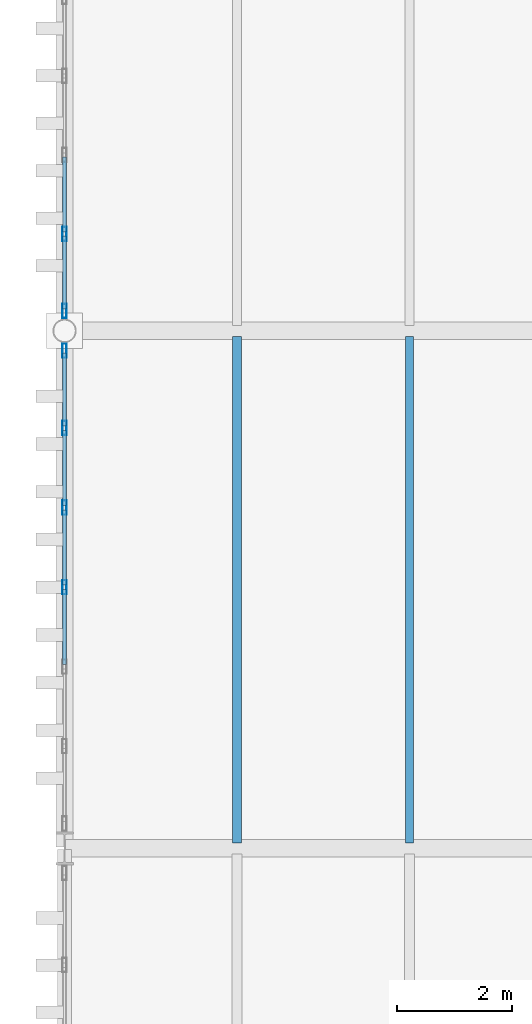
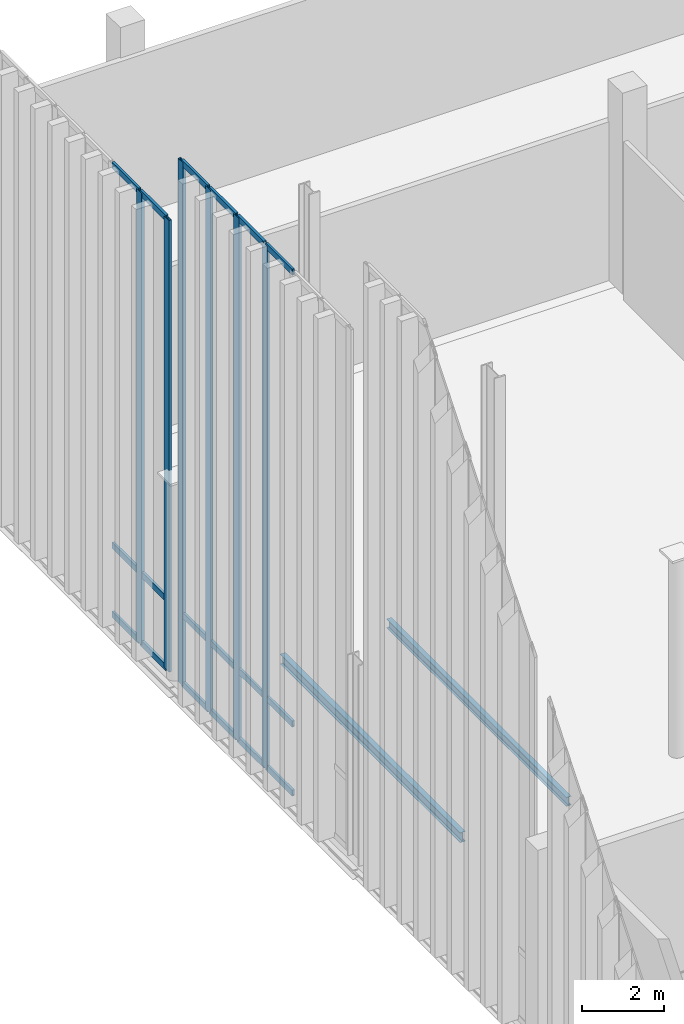
# One storey, part 60 of 237: 24 members, 2 beams, 2 elements without a shape of their own.
"""IFC4 building model written with IfcOpenShell, lengths in metres."""

from ifc_helpers import new_model, si_unit, direction, frame, origin, origin_2d, place, context, subcontext, project, spatial, hollow_rectangle, i_section, extrude, material, layer, layer_set, material_profile, profile_set, type_object, element, aggregate, save


model = new_model("IFC4")

# Units and contexts
model_context = context("Model", 3, precision=1e-05, world=origin(), true_north=direction((0.0, 1.0)))
body_context = subcontext(model_context, "Body", "Model", "MODEL_VIEW")
ifc_project = project(units=[si_unit("LENGTHUNIT", "METRE"), si_unit("AREAUNIT", "SQUARE_METRE"), si_unit("VOLUMEUNIT", "CUBIC_METRE"), si_unit("PLANEANGLEUNIT", "RADIAN"), si_unit("MASSUNIT", "GRAM", prefix="KILO")], contexts=[model_context])

# Site, building, storey
site_placement = place(None, origin())
site = spatial("IfcSite", under=ifc_project, at=site_placement, CompositionType="ELEMENT")
building_placement = place(site_placement, origin())
building = spatial("IfcBuilding", under=site, at=building_placement, Name="Barlavento Convention Centre", CompositionType="ELEMENT")
storey_placement = place(building_placement, frame((0.0, 0.0, 12.0)))
storey = spatial("IfcBuildingStorey", under=building, at=storey_placement, Name="L02", CompositionType="ELEMENT", Elevation=12.0)

# Curtain wall, members
ifc_material_1 = material(Name="Powder-coated aluminium and Low-E glass", Category="aluminium")
ifc_layer = layer(ifc_material_1, 0.18994140625)
ifc_layer_set = layer_set([ifc_layer], Name="ARC-CW-CONG-L02")
curtain_wall_type = type_object("IfcCurtainWallType", Name="ARC-CW-CONG-L02", PredefinedType="NOTDEFINED", material=ifc_layer_set)
curtain_wall_1_placement = place(storey_placement, origin())
curtain_wall_1 = element("IfcCurtainWall", 1, at=curtain_wall_1_placement, inside=storey, type_object=curtain_wall_type, Name="L02 unitised curtain wall CW02", PredefinedType="NOTDEFINED")
ifc_material_2 = material(Name="Powder-coated aluminium", Category="aluminium")
ifc_material_profile_1 = material_profile(ifc_material_2, hollow_rectangle(XDim=0.074951171875, YDim=0.25, WallThickness=0.006103515625, at=origin_2d()), Name="AL-MULL 75x250x6")
ifc_profile_set_1 = profile_set([ifc_material_profile_1], Name="Powder-coated aluminium")
member_type_1 = type_object("IfcMemberType", Name="ARC-CWM-75X250", PredefinedType="MULLION", material=ifc_profile_set_1)
member_1_placement = place(storey_placement, frame((0.0, 40.54150390625, 0.0), z_axis=(0.0, 0.0, 1.0), x_axis=(-1.0, 0.0, 0.0)))
member_1 = element("IfcMember", 2, at=member_1_placement, type_object=member_type_1, Name="CW02 mullion 4", PredefinedType="MULLION", context=body_context, shape_type="SweptSolid", body=[
    extrude(hollow_rectangle(XDim=0.074951171875, YDim=0.25, WallThickness=0.006103515625, at=origin_2d()), origin(), (0.0, 0.0, 1.0), 15.64111328125),
])
member_2_placement = place(storey_placement, frame((0.0, 41.9248046875, 0.0), z_axis=(0.0, 0.0, 1.0), x_axis=(-1.0, 0.0, 0.0)))
member_2 = element("IfcMember", 3, at=member_2_placement, type_object=member_type_1, Name="CW02 mullion 5", PredefinedType="MULLION", context=body_context, shape_type="SweptSolid", body=[
    extrude(hollow_rectangle(XDim=0.074951171875, YDim=0.25, WallThickness=0.006103515625, at=origin_2d()), origin(), (0.0, 0.0, 1.0), 15.64111328125),
])
member_3_placement = place(storey_placement, frame((0.0, 43.308349609375, 0.0), z_axis=(0.0, 0.0, 1.0), x_axis=(-1.0, 0.0, 0.0)))
member_3 = element("IfcMember", 4, at=member_3_placement, type_object=member_type_1, Name="CW02 mullion 6", PredefinedType="MULLION", context=body_context, shape_type="SweptSolid", body=[
    extrude(hollow_rectangle(XDim=0.074951171875, YDim=0.25, WallThickness=0.006103515625, at=origin_2d()), origin(), (0.0, 0.0, 1.0), 15.64111328125),
])
member_4_placement = place(storey_placement, frame((0.0, 44.654296875, 0.0), z_axis=(0.0, 0.0, 1.0), x_axis=(-1.0, 0.0, 0.0)))
member_4 = element("IfcMember", 5, at=member_4_placement, type_object=member_type_1, Name="CW02 mullion 7", PredefinedType="MULLION", context=body_context, shape_type="SweptSolid", body=[
    extrude(hollow_rectangle(XDim=0.074951171875, YDim=0.25, WallThickness=0.006103515625, at=origin_2d()), origin(), (0.0, 0.0, 1.0), 15.64111328125),
])

curtain_wall_2_placement = place(storey_placement, origin())
curtain_wall_2 = element("IfcCurtainWall", 6, at=curtain_wall_2_placement, inside=storey, type_object=curtain_wall_type, Name="L02 unitised curtain wall CW02", PredefinedType="NOTDEFINED")
member_5_placement = place(storey_placement, frame((0.0, 45.345703125, 0.0), z_axis=(0.0, 0.0, 1.0), x_axis=(-1.0, 0.0, 0.0)))
member_5 = element("IfcMember", 7, at=member_5_placement, type_object=member_type_1, Name="CW02 mullion 1", PredefinedType="MULLION", context=body_context, shape_type="SweptSolid", body=[
    extrude(hollow_rectangle(XDim=0.074951171875, YDim=0.25, WallThickness=0.006103515625, at=origin_2d()), origin(), (0.0, 0.0, 1.0), 13.5029296875),
])
member_6_placement = place(storey_placement, frame((0.0, 46.68359375, 0.0), z_axis=(0.0, 0.0, 1.0), x_axis=(-1.0, 0.0, 0.0)))
member_6 = element("IfcMember", 8, at=member_6_placement, type_object=member_type_1, Name="CW02 mullion 2", PredefinedType="MULLION", context=body_context, shape_type="SweptSolid", body=[
    extrude(hollow_rectangle(XDim=0.074951171875, YDim=0.25, WallThickness=0.006103515625, at=origin_2d()), origin(), (0.0, 0.0, 1.0), 13.5029296875),
])

# Member
ifc_material_profile_2 = material_profile(ifc_material_2, hollow_rectangle(XDim=0.070068359375, YDim=0.179931640625, WallThickness=0.0048828125, at=origin_2d()), Name="AL-TRAN 70x180x5")
ifc_profile_set_2 = profile_set([ifc_material_profile_2], Name="Powder-coated aluminium")
member_type_2 = type_object("IfcMemberType", Name="ARC-CWT-70X180", PredefinedType="USERDEFINED", material=ifc_profile_set_2)
member_7_placement = place(storey_placement, frame((0.0, 39.1953125, 0.034912109375), z_axis=(0.0, 1.0, 0.0), x_axis=(-1.0, 0.0, 0.0)))
member_7 = element("IfcMember", 9, at=member_7_placement, type_object=member_type_2, Name="CW02 transom 3.1", ObjectType="TRANSOM", PredefinedType="USERDEFINED", context=body_context, shape_type="SweptSolid", body=[
    extrude(hollow_rectangle(XDim=0.070068359375, YDim=0.179931640625, WallThickness=0.0048828125, at=origin_2d()), origin(), (0.0, 0.0, 1.0), 1.30859375),
])

member_8_placement = place(storey_placement, frame((0.0, 39.1953125, 2.10009765625), z_axis=(0.0, 1.0, 0.0), x_axis=(-1.0, 0.0, 0.0)))
member_8 = element("IfcMember", 10, at=member_8_placement, type_object=member_type_2, Name="CW02 transom 3.2", ObjectType="TRANSOM", PredefinedType="USERDEFINED", context=body_context, shape_type="SweptSolid", body=[
    extrude(hollow_rectangle(XDim=0.070068359375, YDim=0.179931640625, WallThickness=0.0048828125, at=origin_2d()), origin(), (0.0, 0.0, 1.0), 1.30859375),
])

member_9_placement = place(storey_placement, frame((0.0, 39.1953125, 15.60595703125), z_axis=(0.0, 1.0, 0.0), x_axis=(-1.0, 0.0, 0.0)))
member_9 = element("IfcMember", 11, at=member_9_placement, type_object=member_type_2, Name="CW02 transom 3.3", ObjectType="TRANSOM", PredefinedType="USERDEFINED", context=body_context, shape_type="SweptSolid", body=[
    extrude(hollow_rectangle(XDim=0.070068359375, YDim=0.179931640625, WallThickness=0.0048828125, at=origin_2d()), origin(), (0.0, 0.0, 1.0), 1.30859375),
])

member_10_placement = place(storey_placement, frame((0.0, 40.578857421875, 0.034912109375), z_axis=(0.0, 1.0, 0.0), x_axis=(-1.0, 0.0, 0.0)))
member_10 = element("IfcMember", 12, at=member_10_placement, type_object=member_type_2, Name="CW02 transom 4.1", ObjectType="TRANSOM", PredefinedType="USERDEFINED", context=body_context, shape_type="SweptSolid", body=[
    extrude(hollow_rectangle(XDim=0.070068359375, YDim=0.179931640625, WallThickness=0.0048828125, at=origin_2d()), origin(), (0.0, 0.0, 1.0), 1.30859375),
])

member_11_placement = place(storey_placement, frame((0.0, 40.578857421875, 2.10009765625), z_axis=(0.0, 1.0, 0.0), x_axis=(-1.0, 0.0, 0.0)))
member_11 = element("IfcMember", 13, at=member_11_placement, type_object=member_type_2, Name="CW02 transom 4.2", ObjectType="TRANSOM", PredefinedType="USERDEFINED", context=body_context, shape_type="SweptSolid", body=[
    extrude(hollow_rectangle(XDim=0.070068359375, YDim=0.179931640625, WallThickness=0.0048828125, at=origin_2d()), origin(), (0.0, 0.0, 1.0), 1.30859375),
])

member_12_placement = place(storey_placement, frame((0.0, 40.578857421875, 15.60595703125), z_axis=(0.0, 1.0, 0.0), x_axis=(-1.0, 0.0, 0.0)))
member_12 = element("IfcMember", 14, at=member_12_placement, type_object=member_type_2, Name="CW02 transom 4.3", ObjectType="TRANSOM", PredefinedType="USERDEFINED", context=body_context, shape_type="SweptSolid", body=[
    extrude(hollow_rectangle(XDim=0.070068359375, YDim=0.179931640625, WallThickness=0.0048828125, at=origin_2d()), origin(), (0.0, 0.0, 1.0), 1.30859375),
])

member_13_placement = place(storey_placement, frame((0.0, 41.96240234375, 0.034912109375), z_axis=(0.0, 1.0, 0.0), x_axis=(-1.0, 0.0, 0.0)))
member_13 = element("IfcMember", 15, at=member_13_placement, type_object=member_type_2, Name="CW02 transom 5.1", ObjectType="TRANSOM", PredefinedType="USERDEFINED", context=body_context, shape_type="SweptSolid", body=[
    extrude(hollow_rectangle(XDim=0.070068359375, YDim=0.179931640625, WallThickness=0.0048828125, at=origin_2d()), origin(), (0.0, 0.0, 1.0), 1.308349609375),
])

member_14_placement = place(storey_placement, frame((0.0, 41.96240234375, 2.10009765625), z_axis=(0.0, 1.0, 0.0), x_axis=(-1.0, 0.0, 0.0)))
member_14 = element("IfcMember", 16, at=member_14_placement, type_object=member_type_2, Name="CW02 transom 5.2", ObjectType="TRANSOM", PredefinedType="USERDEFINED", context=body_context, shape_type="SweptSolid", body=[
    extrude(hollow_rectangle(XDim=0.070068359375, YDim=0.179931640625, WallThickness=0.0048828125, at=origin_2d()), origin(), (0.0, 0.0, 1.0), 1.308349609375),
])

member_15_placement = place(storey_placement, frame((0.0, 41.96240234375, 15.60595703125), z_axis=(0.0, 1.0, 0.0), x_axis=(-1.0, 0.0, 0.0)))
member_15 = element("IfcMember", 17, at=member_15_placement, type_object=member_type_2, Name="CW02 transom 5.3", ObjectType="TRANSOM", PredefinedType="USERDEFINED", context=body_context, shape_type="SweptSolid", body=[
    extrude(hollow_rectangle(XDim=0.070068359375, YDim=0.179931640625, WallThickness=0.0048828125, at=origin_2d()), origin(), (0.0, 0.0, 1.0), 1.308349609375),
])

member_16_placement = place(storey_placement, frame((0.0, 43.345947265625, 0.034912109375), z_axis=(0.0, 1.0, 0.0), x_axis=(-1.0, 0.0, 0.0)))
member_16 = element("IfcMember", 18, at=member_16_placement, type_object=member_type_2, Name="CW02 transom 6.1", ObjectType="TRANSOM", PredefinedType="USERDEFINED", context=body_context, shape_type="SweptSolid", body=[
    extrude(hollow_rectangle(XDim=0.070068359375, YDim=0.179931640625, WallThickness=0.0048828125, at=origin_2d()), origin(), (0.0, 0.0, 1.0), 1.270751953125),
])

member_17_placement = place(storey_placement, frame((0.0, 43.345947265625, 2.10009765625), z_axis=(0.0, 1.0, 0.0), x_axis=(-1.0, 0.0, 0.0)))
member_17 = element("IfcMember", 19, at=member_17_placement, type_object=member_type_2, Name="CW02 transom 6.2", ObjectType="TRANSOM", PredefinedType="USERDEFINED", context=body_context, shape_type="SweptSolid", body=[
    extrude(hollow_rectangle(XDim=0.070068359375, YDim=0.179931640625, WallThickness=0.0048828125, at=origin_2d()), origin(), (0.0, 0.0, 1.0), 1.270751953125),
])

member_18_placement = place(storey_placement, frame((0.0, 43.345947265625, 15.60595703125), z_axis=(0.0, 1.0, 0.0), x_axis=(-1.0, 0.0, 0.0)))
member_18 = element("IfcMember", 20, at=member_18_placement, type_object=member_type_2, Name="CW02 transom 6.3", ObjectType="TRANSOM", PredefinedType="USERDEFINED", context=body_context, shape_type="SweptSolid", body=[
    extrude(hollow_rectangle(XDim=0.070068359375, YDim=0.179931640625, WallThickness=0.0048828125, at=origin_2d()), origin(), (0.0, 0.0, 1.0), 1.270751953125),
])

aggregate(curtain_wall_1, [member_1, member_2, member_3, member_4, member_7, member_8, member_9, member_10, member_11, member_12, member_13, member_14, member_15, member_16, member_17, member_18])

member_19_placement = place(storey_placement, frame((0.0, 45.38330078125, 0.034912109375), z_axis=(0.0, 1.0, 0.0), x_axis=(-1.0, 0.0, 0.0)))
member_19 = element("IfcMember", 21, at=member_19_placement, type_object=member_type_2, Name="CW02 transom 1.1", ObjectType="TRANSOM", PredefinedType="USERDEFINED", context=body_context, shape_type="SweptSolid", body=[
    extrude(hollow_rectangle(XDim=0.070068359375, YDim=0.179931640625, WallThickness=0.0048828125, at=origin_2d()), origin(), (0.0, 0.0, 1.0), 1.262939453125),
])

member_20_placement = place(storey_placement, frame((0.0, 45.38330078125, 2.10009765625), z_axis=(0.0, 1.0, 0.0), x_axis=(-1.0, 0.0, 0.0)))
member_20 = element("IfcMember", 22, at=member_20_placement, type_object=member_type_2, Name="CW02 transom 1.2", ObjectType="TRANSOM", PredefinedType="USERDEFINED", context=body_context, shape_type="SweptSolid", body=[
    extrude(hollow_rectangle(XDim=0.070068359375, YDim=0.179931640625, WallThickness=0.0048828125, at=origin_2d()), origin(), (0.0, 0.0, 1.0), 1.262939453125),
])

member_21_placement = place(storey_placement, frame((0.0, 45.38330078125, 13.468017578125), z_axis=(0.0, 1.0, 0.0), x_axis=(-1.0, 0.0, 0.0)))
member_21 = element("IfcMember", 23, at=member_21_placement, type_object=member_type_2, Name="CW02 transom 1.3", ObjectType="TRANSOM", PredefinedType="USERDEFINED", context=body_context, shape_type="SweptSolid", body=[
    extrude(hollow_rectangle(XDim=0.070068359375, YDim=0.179931640625, WallThickness=0.0048828125, at=origin_2d()), origin(), (0.0, 0.0, 1.0), 1.262939453125),
])

member_22_placement = place(storey_placement, frame((0.0, 46.72119140625, 0.034912109375), z_axis=(0.0, 1.0, 0.0), x_axis=(-1.0, 0.0, 0.0)))
member_22 = element("IfcMember", 24, at=member_22_placement, type_object=member_type_2, Name="CW02 transom 2.1", ObjectType="TRANSOM", PredefinedType="USERDEFINED", context=body_context, shape_type="SweptSolid", body=[
    extrude(hollow_rectangle(XDim=0.070068359375, YDim=0.179931640625, WallThickness=0.0048828125, at=origin_2d()), origin(), (0.0, 0.0, 1.0), 1.300537109375),
])

member_23_placement = place(storey_placement, frame((0.0, 46.72119140625, 2.10009765625), z_axis=(0.0, 1.0, 0.0), x_axis=(-1.0, 0.0, 0.0)))
member_23 = element("IfcMember", 25, at=member_23_placement, type_object=member_type_2, Name="CW02 transom 2.2", ObjectType="TRANSOM", PredefinedType="USERDEFINED", context=body_context, shape_type="SweptSolid", body=[
    extrude(hollow_rectangle(XDim=0.070068359375, YDim=0.179931640625, WallThickness=0.0048828125, at=origin_2d()), origin(), (0.0, 0.0, 1.0), 1.300537109375),
])

member_24_placement = place(storey_placement, frame((0.0, 46.72119140625, 13.468017578125), z_axis=(0.0, 1.0, 0.0), x_axis=(-1.0, 0.0, 0.0)))
member_24 = element("IfcMember", 26, at=member_24_placement, type_object=member_type_2, Name="CW02 transom 2.3", ObjectType="TRANSOM", PredefinedType="USERDEFINED", context=body_context, shape_type="SweptSolid", body=[
    extrude(hollow_rectangle(XDim=0.070068359375, YDim=0.179931640625, WallThickness=0.0048828125, at=origin_2d()), origin(), (0.0, 0.0, 1.0), 1.300537109375),
])

aggregate(curtain_wall_2, [member_5, member_6, member_19, member_20, member_21, member_22, member_23, member_24])

# Beams
ifc_material_3 = material(Name="Steel S355", Category="steel")
ifc_material_profile_3 = material_profile(ifc_material_3, i_section(OverallWidth=0.135009765625, OverallDepth=0.27001953125, WebThickness=0.006591796875, FlangeThickness=0.01025390625, FilletRadius=0.014892578125, at=origin_2d()), Name="IPE 270")
ifc_profile_set_3 = profile_set([ifc_material_profile_3], Name="Steel S355")
beam_type_1 = type_object("IfcBeamType", Name="STR-BM-JST-IPE270", PredefinedType="JOIST", material=ifc_profile_set_3)
beam_1_placement = place(storey_placement, frame((6.0, 36.094970703125, -0.43505859375), z_axis=(0.0, 1.0, 0.0), x_axis=(-1.0, 0.0, 0.0)))
element("IfcBeam", 27, at=beam_1_placement, inside=storey, type_object=beam_type_1, Name="L02 composite floor joist SJ08", PredefinedType="JOIST", context=body_context, shape_type="SweptSolid", body=[
    extrude(i_section(OverallWidth=0.135009765625, OverallDepth=0.27001953125, WebThickness=0.006591796875, FlangeThickness=0.01025390625, FilletRadius=0.014892578125, at=origin_2d()), origin(), (0.0, 0.0, 1.0), 8.81005859375),
])
ifc_material_profile_4 = material_profile(ifc_material_3, i_section(OverallWidth=0.14990234375, OverallDepth=0.300048828125, WebThickness=0.007080078125, FlangeThickness=0.0107421875, FilletRadius=0.014892578125, at=origin_2d()), Name="IPE 300")
ifc_profile_set_4 = profile_set([ifc_material_profile_4], Name="Steel S355")
beam_type_2 = type_object("IfcBeamType", Name="STR-BM-JST-IPE300", PredefinedType="JOIST", material=ifc_profile_set_4)
beam_2_placement = place(storey_placement, frame((3.0, 36.094970703125, -0.449951171875), z_axis=(0.0, 1.0, 0.0), x_axis=(-1.0, 0.0, 0.0)))
element("IfcBeam", 28, at=beam_2_placement, inside=storey, type_object=beam_type_2, Name="L02 composite floor joist SJ07", PredefinedType="JOIST", context=body_context, shape_type="SweptSolid", body=[
    extrude(i_section(OverallWidth=0.14990234375, OverallDepth=0.300048828125, WebThickness=0.007080078125, FlangeThickness=0.0107421875, FilletRadius=0.014892578125, at=origin_2d()), origin(), (0.0, 0.0, 1.0), 8.81005859375),
])

save(model, "model.ifc")
